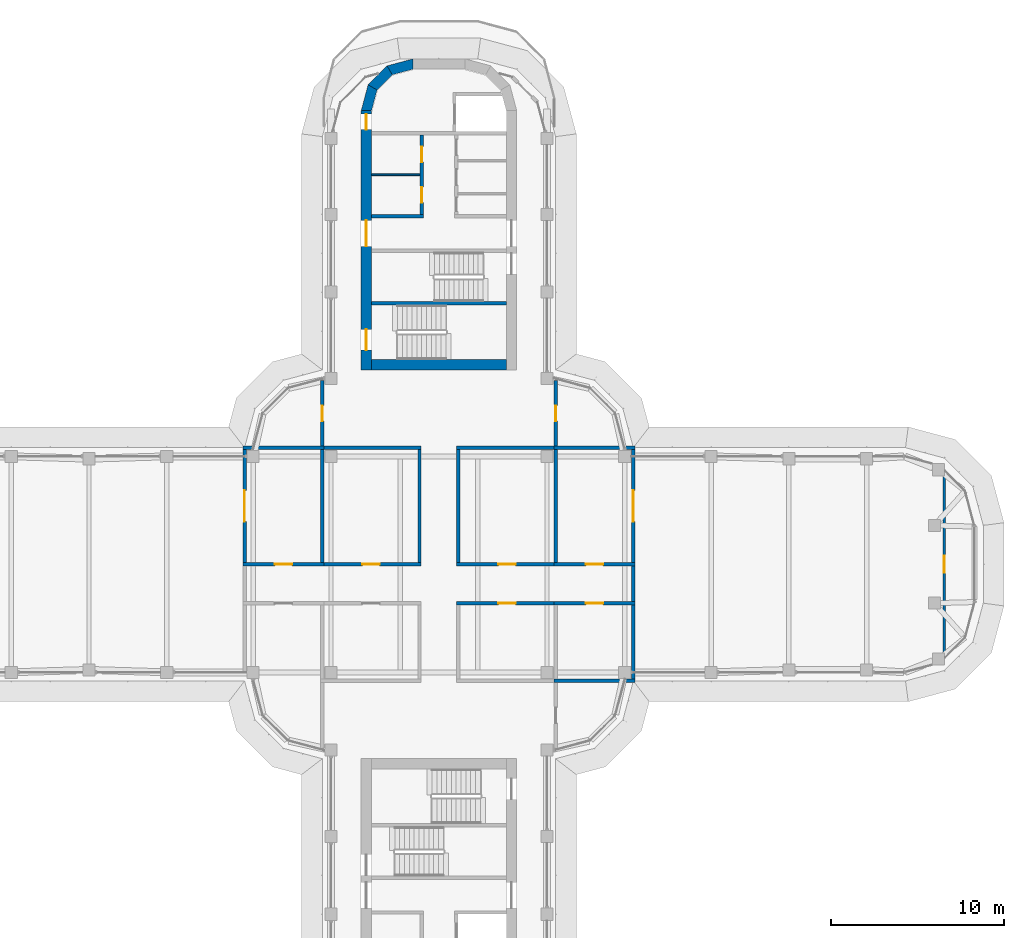
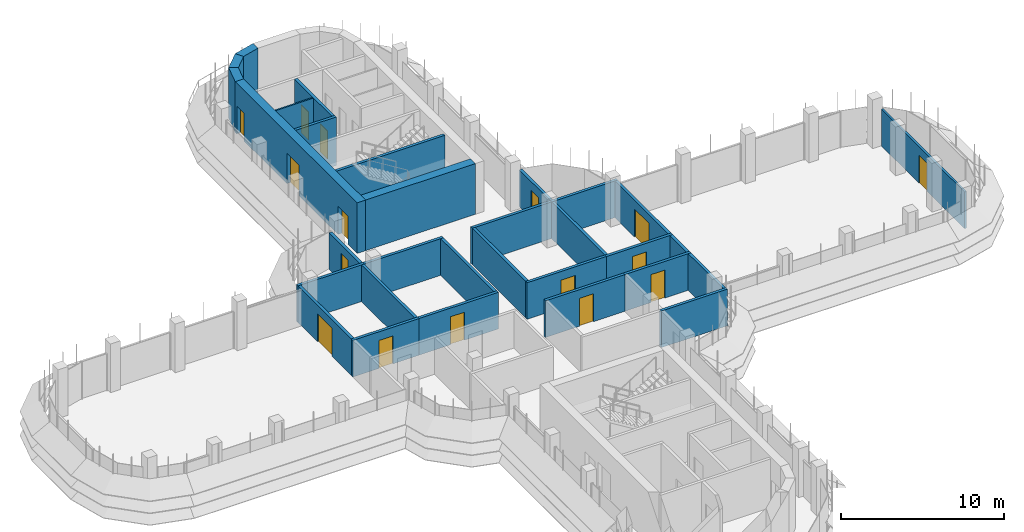
# One storey, part 14 of 19: 31 walls, 16 doors, 16 openings.
"""IFC4 building model written with IfcOpenShell, lengths in metres."""

import ifcopenshell
import ifcopenshell.guid

model = None  # the IFC model being written
_history = None  # IfcOwnerHistory: only IFC2X3 demands one
_inside = {}  # id of a spatial element -> (the spatial element, [elements in it])
_under = {}  # id of a project, library or spatial element -> (it, [spatial elements below it])
_declared = {}  # id of a project -> (the project, [libraries it declares])
_typed = {}  # id of a type object -> (the type object, [elements of that type])
_made_of = {}  # id of a material, layer set ... -> (it, [elements and type objects made of it])


def new_model(schema):
    """Start an empty IFC model of exactly this schema.

    Asked for "IFC4X3", IfcOpenShell would pick the latest addendum, in which some entities
    have other attributes; the version numbers below select the first issue.
    IFC2X3 requires an IfcOwnerHistory on every rooted entity: one is made here for all.
    """
    global model, _history
    if schema == "IFC4X3":
        model = ifcopenshell.file(schema_version=(4, 3, 0, 0))
    else:
        model = ifcopenshell.file(schema=schema)
    _inside.clear()
    _under.clear()
    _declared.clear()
    _typed.clear()
    _made_of.clear()
    _history = None
    if model.schema == "IFC2X3":
        org = make("IfcOrganization", Name="unknown")
        user = make(
            "IfcPersonAndOrganization",
            ThePerson=make("IfcPerson", FamilyName="unknown"),
            TheOrganization=org,
        )
        app = make(
            "IfcApplication",
            ApplicationDeveloper=org,
            Version="unknown",
            ApplicationFullName="unknown",
            ApplicationIdentifier="unknown",
        )
        _history = make(
            "IfcOwnerHistory",
            OwningUser=user,
            OwningApplication=app,
            ChangeAction="ADDED",
            CreationDate=0,
        )
    return model


def make(cls, **values):
    """One entity of the class cls with the attributes given. An attribute that is None is left unset."""
    return model.create_entity(
        cls, **{name: value for name, value in values.items() if value is not None}
    )


def rooted(cls, **values):
    """An entity with a GlobalId (a new one), such as an element, a storey or a relation."""
    return make(cls, GlobalId=ifcopenshell.guid.new(), OwnerHistory=_history, **values)


def si_unit(unit_type, name, prefix=None):
    """IfcSIUnit, for example si_unit("LENGTHUNIT", "METRE", prefix="MILLI")."""
    return make("IfcSIUnit", UnitType=unit_type, Prefix=prefix, Name=name)


def assignment(units):
    """IfcUnitAssignment: the units of a project."""
    return None if units is None else make("IfcUnitAssignment", Units=units)


def point(xyz):
    """IfcCartesianPoint."""
    return None if xyz is None else make("IfcCartesianPoint", Coordinates=xyz)


def direction(xyz):
    """IfcDirection."""
    return None if xyz is None else make("IfcDirection", DirectionRatios=xyz)


def frame(location, z_axis=None, x_axis=None):
    """IfcAxis2Placement3D, a coordinate frame: its origin and axes. An axis left out is left unset."""
    return make(
        "IfcAxis2Placement3D",
        Location=point(location),
        Axis=direction(z_axis),
        RefDirection=direction(x_axis),
    )


def frame_2d(location, x_axis=None):
    """IfcAxis2Placement2D, a coordinate frame in the plane: its origin and x axis."""
    return make(
        "IfcAxis2Placement2D", Location=point(location), RefDirection=direction(x_axis)
    )


def origin():
    """The frame at (0, 0, 0) with its axes left unset."""
    return frame((0.0, 0.0, 0.0))


def place(relative_to, where):
    """IfcLocalPlacement: puts the frame where relative to a parent placement (None: the world)."""
    return make(
        "IfcLocalPlacement", PlacementRelTo=relative_to, RelativePlacement=where
    )


def context(
    kind, dimensions, precision=None, world=None, true_north=None, identifier=None
):
    """IfcGeometricRepresentationContext, for example the 3D "Model" context."""
    return make(
        "IfcGeometricRepresentationContext",
        ContextIdentifier=identifier,
        ContextType=kind,
        CoordinateSpaceDimension=dimensions,
        Precision=precision,
        WorldCoordinateSystem=world,
        TrueNorth=true_north,
    )


def subcontext(parent, identifier, kind, view, scale=None):
    """IfcGeometricRepresentationSubContext, for example "Body" below "Model"."""
    return make(
        "IfcGeometricRepresentationSubContext",
        ContextIdentifier=identifier,
        ContextType=kind,
        ParentContext=parent,
        TargetScale=scale,
        TargetView=view,
    )


def project(units=None, contexts=None):
    """IfcProject with its units and contexts."""
    return rooted(
        "IfcProject",
        Name="project",
        RepresentationContexts=contexts,
        UnitsInContext=assignment(units),
    )


def spatial(cls, under=None, at=None, **own):
    """A site, building, storey or space (cls), placed at a placement, below another one or the project."""
    s = rooted(cls, ObjectPlacement=at, **own)
    if under is not None:
        _under.setdefault(under.id(), (under, []))[1].append(s)
    return s


def polyline(points):
    """IfcPolyline through the points."""
    return make("IfcPolyline", Points=[point(p) for p in points])


def profile(cls, at=None, kind="AREA", **sizes):
    """A parametric profile (cls). Its sizes go by their IFC names, for example OverallWidth=200.0."""
    return make(cls, ProfileType=kind, Position=at, **sizes)


def rectangle(**sizes):
    """IfcRectangleProfileDef."""
    return profile("IfcRectangleProfileDef", **sizes)


def outline(outer, holes=None, kind="AREA"):
    """IfcArbitraryClosedProfileDef: a profile drawn as a closed curve; with holes, ...WithVoids."""
    if holes is None:
        return make("IfcArbitraryClosedProfileDef", ProfileType=kind, OuterCurve=outer)
    return make(
        "IfcArbitraryProfileDefWithVoids",
        ProfileType=kind,
        OuterCurve=outer,
        InnerCurves=holes,
    )


def extrude(swept, where, along, depth):
    """IfcExtrudedAreaSolid: the profile swept, set in the frame where, extruded along a direction by depth."""
    return make(
        "IfcExtrudedAreaSolid",
        SweptArea=swept,
        Position=where,
        ExtrudedDirection=direction(along),
        Depth=depth,
    )


def shape(context_of_items, identifier, shape_type, items):
    """IfcShapeRepresentation: the items that make up one representation, for example the "Body"."""
    return make(
        "IfcShapeRepresentation",
        ContextOfItems=context_of_items,
        RepresentationIdentifier=identifier,
        RepresentationType=shape_type,
        Items=items,
    )


def material(Name=None, Category=None):
    """IfcMaterial."""
    return make("IfcMaterial", Name=Name, Category=Category)


def layer(
    of_material, thickness, ventilated=None, Name=None, Category=None, Priority=None
):
    """IfcMaterialLayer: one layer of a wall or slab, of a material (None: an air gap)."""
    return make(
        "IfcMaterialLayer",
        Material=of_material,
        LayerThickness=thickness,
        IsVentilated=ventilated,
        Name=Name,
        Category=Category,
        Priority=Priority,
    )


def layer_set(layers, Name=None):
    """IfcMaterialLayerSet."""
    return make("IfcMaterialLayerSet", MaterialLayers=layers, LayerSetName=Name)


def made_of(thing, what):
    """Note that an element or type object is made of a material, layer set ...; save() writes the relation."""
    if what is not None:
        _made_of.setdefault(what.id(), (what, []))[1].append(thing)
    return thing


def type_object(cls, material=None, **own):
    """A type object (cls), such as IfcWallType, which elements share."""
    return made_of(rooted(cls, **own), material)


def element(
    cls,
    number,
    at=None,
    inside=None,
    cuts=None,
    type_object=None,
    material=None,
    context=None,
    identifier="Body",
    shape_type=None,
    held_by="IfcProductDefinitionShape",
    body=None,
    shapes=None,
    **own,
):
    """One element of the class cls, such as IfcWall. Its Tag is "e" and its number.

    at: its placement. inside: the storey or other place that contains it. cuts: it is an
    opening in that element (IfcRelVoidsElement). A single representation is given by context,
    identifier, shape_type and body (its items); several are given by shapes. held_by: the class
    of the entity that holds the representations. save() writes the other relations.
    """
    e = rooted(cls, Tag="e%d" % number, ObjectPlacement=at, **own)
    if body is not None:
        shapes = [shape(context, identifier, shape_type, body)]
    if shapes is not None:
        e.Representation = make(held_by, Representations=shapes)
    if inside is not None:
        _inside.setdefault(inside.id(), (inside, []))[1].append(e)
    if cuts is not None:
        rooted(
            "IfcRelVoidsElement", RelatingBuildingElement=cuts, RelatedOpeningElement=e
        )
    if type_object is not None:
        _typed.setdefault(type_object.id(), (type_object, []))[1].append(e)
    return made_of(e, material)


def fill(opening, filler):
    """IfcRelFillsElement: the door or window that sits in an opening."""
    return rooted(
        "IfcRelFillsElement",
        RelatingOpeningElement=opening,
        RelatedBuildingElement=filler,
    )


def aggregate(whole, parts):
    """IfcRelAggregates: a whole, such as a stair, and the parts it consists of."""
    return rooted("IfcRelAggregates", RelatingObject=whole, RelatedObjects=parts)


def save(model, path):
    """Write the relations noted so far, then the file.

    IfcRelAggregates (storeys below a building ...), IfcRelContainedInSpatialStructure (elements
    in a storey), IfcRelDefinesByType, IfcRelAssociatesMaterial and IfcRelDeclares: one each for
    every whole, place, type object, material and project.
    """
    for whole, parts in _under.values():
        aggregate(whole, parts)
    for where, things in _inside.values():
        rooted(
            "IfcRelContainedInSpatialStructure",
            RelatedElements=things,
            RelatingStructure=where,
        )
    for kind, things in _typed.values():
        rooted("IfcRelDefinesByType", RelatedObjects=things, RelatingType=kind)
    for what, things in _made_of.values():
        rooted("IfcRelAssociatesMaterial", RelatedObjects=things, RelatingMaterial=what)
    for by, libraries in _declared.values():
        rooted("IfcRelDeclares", RelatingContext=by, RelatedDefinitions=libraries)
    model.write(path)


model = new_model("IFC4")

# Units and contexts
model_context = context("Model", 3, precision=1e-05, world=origin(), true_north=direction((0.0, 1.0)))
body_context = subcontext(model_context, "Body", "Model", "MODEL_VIEW")
ifc_project = project(units=[si_unit("LENGTHUNIT", "METRE"), si_unit("AREAUNIT", "SQUARE_METRE"), si_unit("VOLUMEUNIT", "CUBIC_METRE"), si_unit("PLANEANGLEUNIT", "RADIAN"), si_unit("MASSUNIT", "GRAM", prefix="KILO")], contexts=[model_context])

# Site, building, storey
site_placement = place(None, origin())
site = spatial("IfcSite", under=ifc_project, at=site_placement, CompositionType="ELEMENT")
building_placement = place(site_placement, origin())
building = spatial("IfcBuilding", under=site, at=building_placement, Name="Zarbagh Exchange Tower", CompositionType="ELEMENT")
storey_placement = place(building_placement, frame((0.0, 0.0, 218.199951171875)))
storey = spatial("IfcBuildingStorey", under=building, at=storey_placement, Name="L53", CompositionType="ELEMENT", Elevation=218.199951171875)

# Wall
ifc_material_1 = material(Name="Dense blockwork", Category="masonry")
ifc_layer_1 = layer(ifc_material_1, 0.10009765625)
ifc_layer_set_1 = layer_set([ifc_layer_1], Name="Core partition 100 mm blockwork")
wall_type_1 = type_object("IfcWallType", Name="Core partition 100 mm blockwork", PredefinedType="PARTITIONING", material=ifc_layer_set_1)
wall_1_placement = place(storey_placement, frame((-3.89990234375, 22.550048828125, 0.0), z_axis=(0.0, 0.0, 1.0), x_axis=(1.0, 0.0, 0.0)))
element("IfcWall", 1, at=wall_1_placement, inside=storey, type_object=wall_type_1, Name="North core partition wall CUT-W-580", PredefinedType="PARTITIONING", context=body_context, shape_type="SweptSolid", body=[
    extrude(rectangle(XDim=2.7998046875, YDim=0.10009765625, at=frame_2d((1.39990234375, 0.0))), origin(), (0.0, 0.0, 1.0), 3.650146484375),
])

# Wall, opening, door
ifc_material_2 = material(Name="Plasterboard partition")
ifc_layer_2 = layer(ifc_material_2, 0.14990234375)
ifc_layer_set_2 = layer_set([ifc_layer_2], Name="PARTITION 150")
wall_type_2 = type_object("IfcWallType", Name="PARTITION 150", PredefinedType="PARTITIONING", material=ifc_layer_set_2)
wall_2_placement = place(storey_placement, frame((29.25, 5.125, 0.0), z_axis=(0.0, 0.0, 1.0), x_axis=(0.0, -1.0, 0.0)))
wall_2 = element("IfcWall", 2, at=wall_2_placement, inside=storey, type_object=wall_type_2, Name="Partition W-2334", PredefinedType="PARTITIONING", context=body_context, shape_type="SweptSolid", body=[
    extrude(rectangle(XDim=10.25, YDim=0.14990234375, at=frame_2d((5.125, 0.0))), origin(), (0.0, 0.0, 1.0), 2.75),
])
opening_1_placement = place(wall_2_placement, frame((4.625, 0.0, 0.0)))
opening_1 = element("IfcOpeningElement", 3, at=opening_1_placement, cuts=wall_2, Name="Opening D-2301", PredefinedType="OPENING", context=body_context, shape_type="SweptSolid", body=[
    extrude(rectangle(XDim=1.0, YDim=2.10009765625, at=frame_2d((0.5, 1.050048828125))), frame((0.0, 0.0849609375, 0.0), z_axis=(0.0, -1.0, 0.0), x_axis=(1.0, 0.0, 0.0)), (0.0, 0.0, 1.0), 0.169921875),
])
ifc_material_3 = material(Name="Timber door leaf", Category="wood")
door_type_1 = type_object("IfcDoorType", Name="DOOR 1000 X 2100", OperationType="NOTDEFINED", PredefinedType="DOOR", material=ifc_material_3)
door_1_placement = place(opening_1_placement, origin())
door_1 = element("IfcDoor", 4, at=door_1_placement, inside=storey, type_object=door_type_1, Name="Door D-2301", OperationType="SINGLE_SWING_RIGHT", OverallHeight=2.10009765625, OverallWidth=1.0, PredefinedType="DOOR", context=body_context, shape_type="SweptSolid", body=[
    extrude(rectangle(XDim=1.0, YDim=2.10009765625, at=frame_2d((0.5, 1.050048828125))), frame((0.0, 0.02490234375, 0.0), z_axis=(0.0, -1.0, 0.0), x_axis=(1.0, 0.0, 0.0)), (0.0, 0.0, 1.0), 0.050048828125),
])
fill(opening_1, door_1)

ifc_material_4 = material(Name="Fire-rated plasterboard partition")
ifc_layer_3 = layer(ifc_material_4, 0.199951171875)
ifc_layer_set_3 = layer_set([ifc_layer_3], Name="RATED PARTITION 200")
wall_type_3 = type_object("IfcWallType", Name="RATED PARTITION 200", PredefinedType="PARTITIONING", material=ifc_layer_set_3)
wall_3_placement = place(storey_placement, frame((1.02490234375, 0.0, 0.0), z_axis=(0.0, 0.0, 1.0), x_axis=(1.0, 0.0, 0.0)))
wall_3 = element("IfcWall", 5, at=wall_3_placement, inside=storey, type_object=wall_type_3, Name="Partition W-2301", PredefinedType="PARTITIONING", context=body_context, shape_type="SweptSolid", body=[
    extrude(rectangle(XDim=5.8251953125, YDim=0.199951171875, at=frame_2d((2.91259765625, 0.0))), origin(), (0.0, 0.0, 1.0), 2.75),
])
opening_2_placement = place(wall_3_placement, frame((2.41259765625, 0.0, 0.0)))
opening_2 = element("IfcOpeningElement", 6, at=opening_2_placement, cuts=wall_3, Name="Opening D-2303", PredefinedType="OPENING", context=body_context, shape_type="SweptSolid", body=[
    extrude(rectangle(XDim=1.0, YDim=2.10009765625, at=frame_2d((0.5, 1.050048828125))), frame((0.0, 0.10986328125, 0.0), z_axis=(0.0, -1.0, 0.0), x_axis=(1.0, 0.0, 0.0)), (0.0, 0.0, 1.0), 0.219970703125),
])
ifc_material_5 = material(Name="Steel door set", Category="steel")
door_type_2 = type_object("IfcDoorType", Name="FIRE DOOR 1000 X 2100 FD30S", OperationType="NOTDEFINED", PredefinedType="DOOR", material=ifc_material_5)
door_2_placement = place(opening_2_placement, origin())
door_2 = element("IfcDoor", 7, at=door_2_placement, inside=storey, type_object=door_type_2, Name="Door D-2303", OperationType="SINGLE_SWING_RIGHT", OverallHeight=2.10009765625, OverallWidth=1.0, PredefinedType="DOOR", context=body_context, shape_type="SweptSolid", body=[
    extrude(rectangle(XDim=1.0, YDim=2.10009765625, at=frame_2d((0.5, 1.050048828125))), frame((0.0, 0.02490234375, 0.0), z_axis=(0.0, -1.0, 0.0), x_axis=(1.0, 0.0, 0.0)), (0.0, 0.0, 1.0), 0.050048828125),
])
fill(opening_2, door_2)

wall_4_placement = place(storey_placement, frame((6.64990234375, 0.0, 0.0), z_axis=(0.0, 0.0, 1.0), x_axis=(1.0, 0.0, 0.0)))
wall_4 = element("IfcWall", 8, at=wall_4_placement, inside=storey, type_object=wall_type_3, Name="Partition W-2302", PredefinedType="PARTITIONING", context=body_context, shape_type="SweptSolid", body=[
    extrude(rectangle(XDim=4.7001953125, YDim=0.199951171875, at=frame_2d((2.35009765625, 0.0))), origin(), (0.0, 0.0, 1.0), 2.75),
])
opening_3_placement = place(wall_4_placement, frame((1.85009765625, 0.0, 0.0)))
opening_3 = element("IfcOpeningElement", 9, at=opening_3_placement, cuts=wall_4, Name="Opening D-2304", PredefinedType="OPENING", context=body_context, shape_type="SweptSolid", body=[
    extrude(rectangle(XDim=1.0, YDim=2.10009765625, at=frame_2d((0.5, 1.050048828125))), frame((0.0, 0.10986328125, 0.0), z_axis=(0.0, -1.0, 0.0), x_axis=(1.0, 0.0, 0.0)), (0.0, 0.0, 1.0), 0.219970703125),
])
door_3_placement = place(opening_3_placement, origin())
door_3 = element("IfcDoor", 10, at=door_3_placement, inside=storey, type_object=door_type_2, Name="Door D-2304", OperationType="SINGLE_SWING_RIGHT", OverallHeight=2.10009765625, OverallWidth=1.0, PredefinedType="DOOR", context=body_context, shape_type="SweptSolid", body=[
    extrude(rectangle(XDim=1.0, YDim=2.10009765625, at=frame_2d((0.5, 1.050048828125))), frame((0.0, 0.02490234375, 0.0), z_axis=(0.0, -1.0, 0.0), x_axis=(1.0, 0.0, 0.0)), (0.0, 0.0, 1.0), 0.050048828125),
])
fill(opening_3, door_3)

wall_5_placement = place(storey_placement, frame((-6.85009765625, 0.0, 0.0), z_axis=(0.0, 0.0, 1.0), x_axis=(1.0, 0.0, 0.0)))
wall_5 = element("IfcWall", 11, at=wall_5_placement, inside=storey, type_object=wall_type_3, Name="Partition W-2303", PredefinedType="PARTITIONING", context=body_context, shape_type="SweptSolid", body=[
    extrude(rectangle(XDim=5.8251953125, YDim=0.199951171875, at=frame_2d((2.91259765625, 0.0))), origin(), (0.0, 0.0, 1.0), 2.75),
])
opening_4_placement = place(wall_5_placement, frame((2.41259765625, 0.0, 0.0)))
opening_4 = element("IfcOpeningElement", 12, at=opening_4_placement, cuts=wall_5, Name="Opening D-2306", PredefinedType="OPENING", context=body_context, shape_type="SweptSolid", body=[
    extrude(rectangle(XDim=1.0, YDim=2.10009765625, at=frame_2d((0.5, 1.050048828125))), frame((0.0, 0.10986328125, 0.0), z_axis=(0.0, -1.0, 0.0), x_axis=(1.0, 0.0, 0.0)), (0.0, 0.0, 1.0), 0.219970703125),
])
door_4_placement = place(opening_4_placement, origin())
door_4 = element("IfcDoor", 13, at=door_4_placement, inside=storey, type_object=door_type_2, Name="Door D-2306", OperationType="SINGLE_SWING_RIGHT", OverallHeight=2.10009765625, OverallWidth=1.0, PredefinedType="DOOR", context=body_context, shape_type="SweptSolid", body=[
    extrude(rectangle(XDim=1.0, YDim=2.10009765625, at=frame_2d((0.5, 1.050048828125))), frame((0.0, 0.02490234375, 0.0), z_axis=(0.0, -1.0, 0.0), x_axis=(1.0, 0.0, 0.0)), (0.0, 0.0, 1.0), 0.050048828125),
])
fill(opening_4, door_4)

wall_6_placement = place(storey_placement, frame((-11.35009765625, 0.0, 0.0), z_axis=(0.0, 0.0, 1.0), x_axis=(1.0, 0.0, 0.0)))
wall_6 = element("IfcWall", 14, at=wall_6_placement, inside=storey, type_object=wall_type_3, Name="Partition W-2304", PredefinedType="PARTITIONING", context=body_context, shape_type="SweptSolid", body=[
    extrude(rectangle(XDim=4.7001953125, YDim=0.199951171875, at=frame_2d((2.35009765625, 0.0))), origin(), (0.0, 0.0, 1.0), 2.75),
])
opening_5_placement = place(wall_6_placement, frame((1.85009765625, 0.0, 0.0)))
opening_5 = element("IfcOpeningElement", 15, at=opening_5_placement, cuts=wall_6, Name="Opening D-2307", PredefinedType="OPENING", context=body_context, shape_type="SweptSolid", body=[
    extrude(rectangle(XDim=1.0, YDim=2.10009765625, at=frame_2d((0.5, 1.050048828125))), frame((0.0, 0.10986328125, 0.0), z_axis=(0.0, -1.0, 0.0), x_axis=(1.0, 0.0, 0.0)), (0.0, 0.0, 1.0), 0.219970703125),
])
door_5_placement = place(opening_5_placement, origin())
door_5 = element("IfcDoor", 16, at=door_5_placement, inside=storey, type_object=door_type_2, Name="Door D-2307", OperationType="SINGLE_SWING_RIGHT", OverallHeight=2.10009765625, OverallWidth=1.0, PredefinedType="DOOR", context=body_context, shape_type="SweptSolid", body=[
    extrude(rectangle(XDim=1.0, YDim=2.10009765625, at=frame_2d((0.5, 1.050048828125))), frame((0.0, 0.02490234375, 0.0), z_axis=(0.0, -1.0, 0.0), x_axis=(1.0, 0.0, 0.0)), (0.0, 0.0, 1.0), 0.050048828125),
])
fill(opening_5, door_5)

wall_7_placement = place(storey_placement, frame((6.85009765625, -2.25, 0.0), z_axis=(0.0, 0.0, 1.0), x_axis=(-1.0, 0.0, 0.0)))
wall_7 = element("IfcWall", 17, at=wall_7_placement, inside=storey, type_object=wall_type_3, Name="Partition W-2305", PredefinedType="PARTITIONING", context=body_context, shape_type="SweptSolid", body=[
    extrude(rectangle(XDim=5.8251953125, YDim=0.199951171875, at=frame_2d((2.91259765625, 0.0))), origin(), (0.0, 0.0, 1.0), 2.75),
])
opening_6_placement = place(wall_7_placement, frame((2.41259765625, 0.0, 0.0)))
opening_6 = element("IfcOpeningElement", 18, at=opening_6_placement, cuts=wall_7, Name="Opening D-2309", PredefinedType="OPENING", context=body_context, shape_type="SweptSolid", body=[
    extrude(rectangle(XDim=1.0, YDim=2.10009765625, at=frame_2d((0.5, 1.050048828125))), frame((0.0, 0.10986328125, 0.0), z_axis=(0.0, -1.0, 0.0), x_axis=(1.0, 0.0, 0.0)), (0.0, 0.0, 1.0), 0.219970703125),
])
door_6_placement = place(opening_6_placement, origin())
door_6 = element("IfcDoor", 19, at=door_6_placement, inside=storey, type_object=door_type_2, Name="Door D-2309", OperationType="SINGLE_SWING_RIGHT", OverallHeight=2.10009765625, OverallWidth=1.0, PredefinedType="DOOR", context=body_context, shape_type="SweptSolid", body=[
    extrude(rectangle(XDim=1.0, YDim=2.10009765625, at=frame_2d((0.5, 1.050048828125))), frame((0.0, 0.02490234375, 0.0), z_axis=(0.0, -1.0, 0.0), x_axis=(1.0, 0.0, 0.0)), (0.0, 0.0, 1.0), 0.050048828125),
])
fill(opening_6, door_6)

wall_8_placement = place(storey_placement, frame((11.35009765625, -2.25, 0.0), z_axis=(0.0, 0.0, 1.0), x_axis=(-1.0, 0.0, 0.0)))
wall_8 = element("IfcWall", 20, at=wall_8_placement, inside=storey, type_object=wall_type_3, Name="Partition W-2306", PredefinedType="PARTITIONING", context=body_context, shape_type="SweptSolid", body=[
    extrude(rectangle(XDim=4.7001953125, YDim=0.199951171875, at=frame_2d((2.35009765625, 0.0))), origin(), (0.0, 0.0, 1.0), 2.75),
])
opening_7_placement = place(wall_8_placement, frame((1.85009765625, 0.0, 0.0)))
opening_7 = element("IfcOpeningElement", 21, at=opening_7_placement, cuts=wall_8, Name="Opening D-2310", PredefinedType="OPENING", context=body_context, shape_type="SweptSolid", body=[
    extrude(rectangle(XDim=1.0, YDim=2.10009765625, at=frame_2d((0.5, 1.050048828125))), frame((0.0, 0.10986328125, 0.0), z_axis=(0.0, -1.0, 0.0), x_axis=(1.0, 0.0, 0.0)), (0.0, 0.0, 1.0), 0.219970703125),
])
door_7_placement = place(opening_7_placement, origin())
door_7 = element("IfcDoor", 22, at=door_7_placement, inside=storey, type_object=door_type_2, Name="Door D-2310", OperationType="SINGLE_SWING_RIGHT", OverallHeight=2.10009765625, OverallWidth=1.0, PredefinedType="DOOR", context=body_context, shape_type="SweptSolid", body=[
    extrude(rectangle(XDim=1.0, YDim=2.10009765625, at=frame_2d((0.5, 1.050048828125))), frame((0.0, 0.02490234375, 0.0), z_axis=(0.0, -1.0, 0.0), x_axis=(1.0, 0.0, 0.0)), (0.0, 0.0, 1.0), 0.050048828125),
])
fill(opening_7, door_7)

# Walls
wall_9_placement = place(storey_placement, frame((11.25, -2.14990234375, 0.0), z_axis=(0.0, 0.0, 1.0), x_axis=(0.0, 1.0, 0.0)))
element("IfcWall", 23, at=wall_9_placement, inside=storey, type_object=wall_type_3, Name="Partition W-2309", PredefinedType="PARTITIONING", context=body_context, shape_type="SweptSolid", body=[
    extrude(rectangle(XDim=2.0498046875, YDim=0.199951171875, at=frame_2d((1.02490234375, 0.0))), origin(), (0.0, 0.0, 1.0), 2.75),
])
for number, where, z_axis, x_axis, name in (
    (24, (1.125, 0.10009765625, 0.0), (0.0, 0.0, 1.0), (0.0, 1.0, 0.0), "Partition W-2311"),
    (25, (-1.125, 0.10009765625, 0.0), (0.0, 0.0, 1.0), (0.0, 1.0, 0.0), "Partition W-2312"),
):
    element("IfcWall", number, at=place(storey_placement, frame(where, z_axis=z_axis, x_axis=x_axis)), inside=storey, type_object=wall_type_3, Name=name, PredefinedType="PARTITIONING", context=body_context, shape_type="SweptSolid", body=[
        extrude(rectangle(XDim=6.5498046875, YDim=0.199951171875, at=frame_2d((3.27490234375, 0.0))), origin(), (0.0, 0.0, 1.0), 2.75),
    ])
wall_10_placement = place(storey_placement, frame((1.02490234375, 6.75, 0.0), z_axis=(0.0, 0.0, 1.0), x_axis=(1.0, 0.0, 0.0)))
element("IfcWall", 26, at=wall_10_placement, inside=storey, type_object=wall_type_3, Name="Partition W-2315", PredefinedType="PARTITIONING", context=body_context, shape_type="SweptSolid", body=[
    extrude(rectangle(XDim=5.8251953125, YDim=0.199951171875, at=frame_2d((2.91259765625, 0.0))), origin(), (0.0, 0.0, 1.0), 2.75),
])

# Wall, opening, door
wall_11_placement = place(storey_placement, frame((6.75, 10.6298828125, 0.0), z_axis=(0.0, 0.0, 1.0), x_axis=(0.0, -1.0, 0.0)))
wall_11 = element("IfcWall", 27, at=wall_11_placement, inside=storey, type_object=wall_type_3, Name="Partition W-2316", PredefinedType="PARTITIONING", context=body_context, shape_type="SweptSolid", body=[
    extrude(rectangle(XDim=3.77978515625, YDim=0.199951171875, at=frame_2d((1.889892578125, 0.0))), origin(), (0.0, 0.0, 1.0), 2.75),
])
opening_8_placement = place(wall_11_placement, frame((1.43994140625, 0.0, 0.0)))
opening_8 = element("IfcOpeningElement", 28, at=opening_8_placement, cuts=wall_11, Name="Opening D-2305", PredefinedType="OPENING", context=body_context, shape_type="SweptSolid", body=[
    extrude(rectangle(XDim=0.89990234375, YDim=2.10009765625, at=frame_2d((0.449951171875, 1.050048828125))), frame((0.0, 0.10986328125, 0.0), z_axis=(0.0, -1.0, 0.0), x_axis=(1.0, 0.0, 0.0)), (0.0, 0.0, 1.0), 0.219970703125),
])
door_type_3 = type_object("IfcDoorType", Name="DOOR 900 X 2100", OperationType="NOTDEFINED", PredefinedType="DOOR", material=ifc_material_3)
door_8_placement = place(opening_8_placement, origin())
door_8 = element("IfcDoor", 29, at=door_8_placement, inside=storey, type_object=door_type_3, Name="Door D-2305", OperationType="SINGLE_SWING_RIGHT", OverallHeight=2.10009765625, OverallWidth=0.89990234375, PredefinedType="DOOR", context=body_context, shape_type="SweptSolid", body=[
    extrude(rectangle(XDim=0.89990234375, YDim=2.10009765625, at=frame_2d((0.449951171875, 1.050048828125))), frame((0.0, 0.02490234375, 0.0), z_axis=(0.0, -1.0, 0.0), x_axis=(1.0, 0.0, 0.0)), (0.0, 0.0, 1.0), 0.050048828125),
])
fill(opening_8, door_8)

# Wall
wall_12_placement = place(storey_placement, frame((-6.85009765625, 6.75, 0.0), z_axis=(0.0, 0.0, 1.0), x_axis=(1.0, 0.0, 0.0)))
element("IfcWall", 30, at=wall_12_placement, inside=storey, type_object=wall_type_3, Name="Partition W-2317", PredefinedType="PARTITIONING", context=body_context, shape_type="SweptSolid", body=[
    extrude(rectangle(XDim=5.8251953125, YDim=0.199951171875, at=frame_2d((2.91259765625, 0.0))), origin(), (0.0, 0.0, 1.0), 2.75),
])

# Wall, opening, door
wall_13_placement = place(storey_placement, frame((-6.75, 6.85009765625, 0.0), z_axis=(0.0, 0.0, 1.0), x_axis=(0.0, 1.0, 0.0)))
wall_13 = element("IfcWall", 31, at=wall_13_placement, inside=storey, type_object=wall_type_3, Name="Partition W-2318", PredefinedType="PARTITIONING", context=body_context, shape_type="SweptSolid", body=[
    extrude(rectangle(XDim=3.77978515625, YDim=0.199951171875, at=frame_2d((1.889892578125, 0.0))), origin(), (0.0, 0.0, 1.0), 2.75),
])
opening_9_placement = place(wall_13_placement, frame((1.43994140625, 0.0, 0.0)))
opening_9 = element("IfcOpeningElement", 32, at=opening_9_placement, cuts=wall_13, Name="Opening D-2308", PredefinedType="OPENING", context=body_context, shape_type="SweptSolid", body=[
    extrude(rectangle(XDim=0.89990234375, YDim=2.10009765625, at=frame_2d((0.449951171875, 1.050048828125))), frame((0.0, 0.10986328125, 0.0), z_axis=(0.0, -1.0, 0.0), x_axis=(1.0, 0.0, 0.0)), (0.0, 0.0, 1.0), 0.219970703125),
])
door_9_placement = place(opening_9_placement, origin())
door_9 = element("IfcDoor", 33, at=door_9_placement, inside=storey, type_object=door_type_3, Name="Door D-2308", OperationType="SINGLE_SWING_LEFT", OverallHeight=2.10009765625, OverallWidth=0.89990234375, PredefinedType="DOOR", context=body_context, shape_type="SweptSolid", body=[
    extrude(rectangle(XDim=0.89990234375, YDim=2.10009765625, at=frame_2d((0.449951171875, 1.050048828125))), frame((0.0, 0.02490234375, 0.0), z_axis=(0.0, -1.0, 0.0), x_axis=(1.0, 0.0, 0.0)), (0.0, 0.0, 1.0), 0.050048828125),
])
fill(opening_9, door_9)

# Walls
wall_14_placement = place(storey_placement, frame((6.75, 0.10009765625, 0.0), z_axis=(0.0, 0.0, 1.0), x_axis=(0.0, 1.0, 0.0)))
element("IfcWall", 34, at=wall_14_placement, inside=storey, type_object=wall_type_3, Name="Partition W-2323", PredefinedType="PARTITIONING", context=body_context, shape_type="SweptSolid", body=[
    extrude(rectangle(XDim=6.5498046875, YDim=0.199951171875, at=frame_2d((3.27490234375, 0.0))), origin(), (0.0, 0.0, 1.0), 2.75),
])
wall_15_placement = place(storey_placement, frame((6.64990234375, 6.75, 0.0), z_axis=(0.0, 0.0, 1.0), x_axis=(1.0, 0.0, 0.0)))
element("IfcWall", 35, at=wall_15_placement, inside=storey, type_object=wall_type_3, Name="Partition W-2324", PredefinedType="PARTITIONING", context=body_context, shape_type="SweptSolid", body=[
    extrude(rectangle(XDim=4.7001953125, YDim=0.199951171875, at=frame_2d((2.35009765625, 0.0))), origin(), (0.0, 0.0, 1.0), 2.75),
])

# Wall, opening, door
wall_16_placement = place(storey_placement, frame((11.25, 6.64990234375, 0.0), z_axis=(0.0, 0.0, 1.0), x_axis=(0.0, -1.0, 0.0)))
wall_16 = element("IfcWall", 36, at=wall_16_placement, inside=storey, type_object=wall_type_3, Name="Partition W-2325", PredefinedType="PARTITIONING", context=body_context, shape_type="SweptSolid", body=[
    extrude(rectangle(XDim=6.5498046875, YDim=0.199951171875, at=frame_2d((3.27490234375, 0.0))), origin(), (0.0, 0.0, 1.0), 2.75),
])
opening_10_placement = place(wall_16_placement, frame((2.375, 0.0, 0.0)))
opening_10 = element("IfcOpeningElement", 37, at=opening_10_placement, cuts=wall_16, Name="Opening D-2302", PredefinedType="OPENING", context=body_context, shape_type="SweptSolid", body=[
    extrude(rectangle(XDim=1.800048828125, YDim=2.10009765625, at=frame_2d((0.89990234375, 1.050048828125))), frame((0.0, 0.10986328125, 0.0), z_axis=(0.0, -1.0, 0.0), x_axis=(1.0, 0.0, 0.0)), (0.0, 0.0, 1.0), 0.219970703125),
])
door_type_4 = type_object("IfcDoorType", Name="FIRE DOUBLE DOOR 1800 X 2100 FD30S", OperationType="DOUBLE_DOOR_SINGLE_SWING", PredefinedType="DOOR", material=ifc_material_5)
door_10_placement = place(opening_10_placement, origin())
door_10 = element("IfcDoor", 38, at=door_10_placement, inside=storey, type_object=door_type_4, Name="Door D-2302", OperationType="DOUBLE_DOOR_SINGLE_SWING", OverallHeight=2.10009765625, OverallWidth=1.800048828125, PredefinedType="DOOR", context=body_context, shape_type="SweptSolid", body=[
    extrude(rectangle(XDim=1.800048828125, YDim=2.10009765625, at=frame_2d((0.89990234375, 1.050048828125))), frame((0.0, 0.02490234375, 0.0), z_axis=(0.0, -1.0, 0.0), x_axis=(1.0, 0.0, 0.0)), (0.0, 0.0, 1.0), 0.050048828125),
])
fill(opening_10, door_10)

# Walls
wall_17_placement = place(storey_placement, frame((-6.75, 0.10009765625, 0.0), z_axis=(0.0, 0.0, 1.0), x_axis=(0.0, 1.0, 0.0)))
element("IfcWall", 39, at=wall_17_placement, inside=storey, type_object=wall_type_3, Name="Partition W-2326", PredefinedType="PARTITIONING", context=body_context, shape_type="SweptSolid", body=[
    extrude(rectangle(XDim=6.5498046875, YDim=0.199951171875, at=frame_2d((3.27490234375, 0.0))), origin(), (0.0, 0.0, 1.0), 2.75),
])
wall_18_placement = place(storey_placement, frame((-11.35009765625, 6.75, 0.0), z_axis=(0.0, 0.0, 1.0), x_axis=(1.0, 0.0, 0.0)))
element("IfcWall", 40, at=wall_18_placement, inside=storey, type_object=wall_type_3, Name="Partition W-2327", PredefinedType="PARTITIONING", context=body_context, shape_type="SweptSolid", body=[
    extrude(rectangle(XDim=4.7001953125, YDim=0.199951171875, at=frame_2d((2.35009765625, 0.0))), origin(), (0.0, 0.0, 1.0), 2.75),
])

# Wall, opening, door
wall_19_placement = place(storey_placement, frame((-11.25, 0.10009765625, 0.0), z_axis=(0.0, 0.0, 1.0), x_axis=(0.0, 1.0, 0.0)))
wall_19 = element("IfcWall", 41, at=wall_19_placement, inside=storey, type_object=wall_type_3, Name="Partition W-2328", PredefinedType="PARTITIONING", context=body_context, shape_type="SweptSolid", body=[
    extrude(rectangle(XDim=6.5498046875, YDim=0.199951171875, at=frame_2d((3.27490234375, 0.0))), origin(), (0.0, 0.0, 1.0), 2.75),
])
opening_11_placement = place(wall_19_placement, frame((2.375, 0.0, 0.0)))
opening_11 = element("IfcOpeningElement", 42, at=opening_11_placement, cuts=wall_19, Name="Opening D-2314", PredefinedType="OPENING", context=body_context, shape_type="SweptSolid", body=[
    extrude(rectangle(XDim=1.800048828125, YDim=2.10009765625, at=frame_2d((0.89990234375, 1.050048828125))), frame((0.0, 0.10986328125, 0.0), z_axis=(0.0, -1.0, 0.0), x_axis=(1.0, 0.0, 0.0)), (0.0, 0.0, 1.0), 0.219970703125),
])
door_11_placement = place(opening_11_placement, origin())
door_11 = element("IfcDoor", 43, at=door_11_placement, inside=storey, type_object=door_type_4, Name="Door D-2314", OperationType="DOUBLE_DOOR_SINGLE_SWING", OverallHeight=2.10009765625, OverallWidth=1.800048828125, PredefinedType="DOOR", context=body_context, shape_type="SweptSolid", body=[
    extrude(rectangle(XDim=1.800048828125, YDim=2.10009765625, at=frame_2d((0.89990234375, 1.050048828125))), frame((0.0, 0.02490234375, 0.0), z_axis=(0.0, -1.0, 0.0), x_axis=(1.0, 0.0, 0.0)), (0.0, 0.0, 1.0), 0.050048828125),
])
fill(opening_11, door_11)

# Walls
wall_20_placement = place(storey_placement, frame((6.64990234375, -6.75, 0.0), z_axis=(0.0, 0.0, 1.0), x_axis=(1.0, 0.0, 0.0)))
element("IfcWall", 44, at=wall_20_placement, inside=storey, type_object=wall_type_3, Name="Partition W-2330", PredefinedType="PARTITIONING", context=body_context, shape_type="SweptSolid", body=[
    extrude(rectangle(XDim=4.7001953125, YDim=0.199951171875, at=frame_2d((2.35009765625, 0.0))), origin(), (0.0, 0.0, 1.0), 2.75),
])
wall_21_placement = place(storey_placement, frame((11.25, -6.64990234375, 0.0), z_axis=(0.0, 0.0, 1.0), x_axis=(0.0, 1.0, 0.0)))
element("IfcWall", 45, at=wall_21_placement, inside=storey, type_object=wall_type_3, Name="Partition W-2331", PredefinedType="PARTITIONING", context=body_context, shape_type="SweptSolid", body=[
    extrude(rectangle(XDim=4.2998046875, YDim=0.199951171875, at=frame_2d((2.14990234375, 0.0))), origin(), (0.0, 0.0, 1.0), 2.75),
])
ifc_material_6 = material(Name="Concrete C50/60", Category="concrete")
ifc_layer_4 = layer(ifc_material_6, 0.60009765625)
ifc_layer_set_4 = layer_set([ifc_layer_4], Name="RC core corner wall 600 C50/60")
wall_type_4 = type_object("IfcWallType", Name="RC core corner wall 600 C50/60", PredefinedType="SHEAR", material=ifc_layer_set_4)
wall_22_placement = place(storey_placement, origin())
element("IfcWall", 46, at=wall_22_placement, inside=storey, type_object=wall_type_4, Name="CW8 core N corner W", PredefinedType="SHEAR", context=body_context, shape_type="SweptSolid", body=[
    extrude(outline(polyline([(-4.5, 26.25), (-4.09814453125, 27.75), (-3.57861328125, 27.449951171875), (-3.89990234375, 26.25), (-4.5, 26.25)])), origin(), (0.0, 0.0, 1.0), 3.800048828125),
])
wall_23_placement = place(storey_placement, origin())
element("IfcWall", 47, at=wall_23_placement, inside=storey, type_object=wall_type_4, Name="CW8 core N corner W", PredefinedType="SHEAR", context=body_context, shape_type="SweptSolid", body=[
    extrude(outline(polyline([(-4.09814453125, 27.75), (-3.0, 28.84814453125), (-2.699951171875, 28.32861328125), (-3.57861328125, 27.449951171875), (-4.09814453125, 27.75)])), origin(), (0.0, 0.0, 1.0), 3.800048828125),
])
wall_24_placement = place(storey_placement, origin())
element("IfcWall", 48, at=wall_24_placement, inside=storey, type_object=wall_type_4, Name="CW8 core N corner W", PredefinedType="SHEAR", context=body_context, shape_type="SweptSolid", body=[
    extrude(outline(polyline([(-3.0, 28.84814453125), (-1.5, 29.25), (-1.5, 28.64990234375), (-2.699951171875, 28.32861328125), (-3.0, 28.84814453125)])), origin(), (0.0, 0.0, 1.0), 3.800048828125),
])

# Wall, openings, doors
ifc_layer_5 = layer(ifc_material_6, 0.60009765625)
ifc_layer_set_5 = layer_set([ifc_layer_5], Name="RC core wall 600 C50/60")
wall_type_5 = type_object("IfcWallType", Name="RC core wall 600 C50/60", PredefinedType="SHEAR", material=ifc_layer_set_5)
wall_25_placement = place(storey_placement, frame((-4.199951171875, 11.25, 0.0), z_axis=(0.0, 0.0, 1.0), x_axis=(0.0, 1.0, 0.0)))
wall_25 = element("IfcWall", 49, at=wall_25_placement, inside=storey, type_object=wall_type_5, Name="CW7 core N W", PredefinedType="SHEAR", context=body_context, shape_type="SweptSolid", body=[
    extrude(rectangle(XDim=15.0, YDim=0.60009765625, at=frame_2d((7.5, 0.0))), origin(), (0.0, 0.0, 1.0), 3.800048828125),
])
opening_12_placement = place(wall_25_placement, frame((7.14990234375, 0.0, 0.0)))
opening_12 = element("IfcOpeningElement", 50, at=opening_12_placement, cuts=wall_25, Name="Opening CD1-1500", PredefinedType="OPENING", context=body_context, shape_type="SweptSolid", body=[
    extrude(rectangle(XDim=1.5, YDim=2.300048828125, at=frame_2d((0.75, 1.14990234375))), frame((0.0, 0.31005859375, 0.0), z_axis=(0.0, -1.0, 0.0), x_axis=(1.0, 0.0, 0.0)), (0.0, 0.0, 1.0), 0.6201171875),
])
opening_13_placement = place(wall_25_placement, frame((13.89990234375, 0.0, 0.0)))
opening_13 = element("IfcOpeningElement", 51, at=opening_13_placement, cuts=wall_25, Name="Opening CD2-900", PredefinedType="OPENING", context=body_context, shape_type="SweptSolid", body=[
    extrude(rectangle(XDim=0.89990234375, YDim=2.10009765625, at=frame_2d((0.449951171875, 1.050048828125))), frame((0.0, 0.31005859375, 0.0), z_axis=(0.0, -1.0, 0.0), x_axis=(1.0, 0.0, 0.0)), (0.0, 0.0, 1.0), 0.6201171875),
])
opening_14_placement = place(wall_25_placement, frame((1.14990234375, 0.0, 0.0)))
opening_14 = element("IfcOpeningElement", 52, at=opening_14_placement, cuts=wall_25, Name="Opening SD1-1200", PredefinedType="OPENING", context=body_context, shape_type="SweptSolid", body=[
    extrude(rectangle(XDim=1.199951171875, YDim=2.10009765625, at=frame_2d((0.60009765625, 1.050048828125))), frame((0.0, 0.31005859375, 0.0), z_axis=(0.0, -1.0, 0.0), x_axis=(1.0, 0.0, 0.0)), (0.0, 0.0, 1.0), 0.6201171875),
])
ifc_material_7 = material(Name="Steel", Category="steel")
door_type_5 = type_object("IfcDoorType", Name="Exit stair door 1200 x 2100", OperationType="NOTDEFINED", PredefinedType="DOOR", material=ifc_material_7)
door_12_placement = place(opening_14_placement, origin())
door_12 = element("IfcDoor", 53, at=door_12_placement, inside=storey, type_object=door_type_5, Name="North core stair door ST2", OperationType="SINGLE_SWING_RIGHT", OverallHeight=2.10009765625, OverallWidth=1.199951171875, PredefinedType="DOOR", context=body_context, shape_type="SweptSolid", body=[
    extrude(rectangle(XDim=1.199951171875, YDim=2.10009765625, at=frame_2d((0.60009765625, 1.050048828125))), frame((0.0, 0.02490234375, 0.0), z_axis=(0.0, -1.0, 0.0), x_axis=(1.0, 0.0, 0.0)), (0.0, 0.0, 1.0), 0.050048828125),
])
fill(opening_14, door_12)
door_type_6 = type_object("IfcDoorType", Name="Firefighting lobby door 900 x 2100", OperationType="NOTDEFINED", PredefinedType="DOOR", material=ifc_material_7)
door_13_placement = place(opening_13_placement, origin())
door_13 = element("IfcDoor", 54, at=door_13_placement, inside=storey, type_object=door_type_6, Name="North core firefighting lobby door FF-W", OperationType="SINGLE_SWING_RIGHT", OverallHeight=2.10009765625, OverallWidth=0.89990234375, PredefinedType="DOOR", context=body_context, shape_type="SweptSolid", body=[
    extrude(rectangle(XDim=0.89990234375, YDim=2.10009765625, at=frame_2d((0.449951171875, 1.050048828125))), frame((0.0, 0.02490234375, 0.0), z_axis=(0.0, -1.0, 0.0), x_axis=(1.0, 0.0, 0.0)), (0.0, 0.0, 1.0), 0.050048828125),
])
fill(opening_13, door_13)
door_type_7 = type_object("IfcDoorType", Name="Lift lobby double door 1500 x 2300", OperationType="NOTDEFINED", PredefinedType="DOOR", material=ifc_material_7)
door_14_placement = place(opening_12_placement, origin())
door_14 = element("IfcDoor", 55, at=door_14_placement, inside=storey, type_object=door_type_7, Name="North core lift lobby door LOBBY-W", OperationType="DOUBLE_DOOR_SINGLE_SWING", OverallHeight=2.300048828125, OverallWidth=1.5, PredefinedType="DOOR", context=body_context, shape_type="SweptSolid", body=[
    extrude(rectangle(XDim=1.5, YDim=2.300048828125, at=frame_2d((0.75, 1.14990234375))), frame((0.0, 0.02490234375, 0.0), z_axis=(0.0, -1.0, 0.0), x_axis=(1.0, 0.0, 0.0)), (0.0, 0.0, 1.0), 0.050048828125),
])
fill(opening_12, door_14)

# Walls
wall_26_placement = place(storey_placement, frame((-3.89990234375, 11.550048828125, 0.0), z_axis=(0.0, 0.0, 1.0), x_axis=(1.0, 0.0, 0.0)))
element("IfcWall", 56, at=wall_26_placement, inside=storey, type_object=wall_type_5, Name="CW7 core N inner end", PredefinedType="SHEAR", context=body_context, shape_type="SweptSolid", body=[
    extrude(rectangle(XDim=7.7998046875, YDim=0.60009765625, at=frame_2d((3.89990234375, 0.0))), origin(), (0.0, 0.0, 1.0), 3.800048828125),
])
ifc_layer_6 = layer(ifc_material_1, 0.199951171875)
ifc_layer_set_6 = layer_set([ifc_layer_6], Name="Shaft wall 200 mm blockwork")
wall_type_6 = type_object("IfcWallType", Name="Shaft wall 200 mm blockwork", PredefinedType="PARTITIONING", material=ifc_layer_set_6)
wall_27_placement = place(storey_placement, frame((-3.89990234375, 20.14990234375, 0.0), z_axis=(0.0, 0.0, 1.0), x_axis=(1.0, 0.0, 0.0)))
element("IfcWall", 57, at=wall_27_placement, inside=storey, type_object=wall_type_6, Name="North core shaft wall AB-W", PredefinedType="PARTITIONING", context=body_context, shape_type="SweptSolid", body=[
    extrude(rectangle(XDim=3.0, YDim=0.199951171875, at=frame_2d((1.5, 0.0))), origin(), (0.0, 0.0, 1.0), 3.650146484375),
])

# Wall, openings, doors
wall_28_placement = place(storey_placement, frame((-1.0, 24.85009765625, 0.0), z_axis=(0.0, 0.0, 1.0), x_axis=(0.0, -1.0, 0.0)))
wall_28 = element("IfcWall", 58, at=wall_28_placement, inside=storey, type_object=wall_type_6, Name="North core shaft wall LW-W", PredefinedType="PARTITIONING", context=body_context, shape_type="SweptSolid", body=[
    extrude(rectangle(XDim=4.60009765625, YDim=0.199951171875, at=frame_2d((2.300048828125, 0.0))), origin(), (0.0, 0.0, 1.0), 3.650146484375),
])
opening_15_placement = place(wall_28_placement, frame((0.675048828125, 0.0, 0.0)))
opening_15 = element("IfcOpeningElement", 59, at=opening_15_placement, cuts=wall_28, Name="Opening CD3-900", PredefinedType="OPENING", context=body_context, shape_type="SweptSolid", body=[
    extrude(rectangle(XDim=0.89990234375, YDim=2.10009765625, at=frame_2d((0.449951171875, 1.050048828125))), frame((0.0, 0.10986328125, 0.0), z_axis=(0.0, -1.0, 0.0), x_axis=(1.0, 0.0, 0.0)), (0.0, 0.0, 1.0), 0.219970703125),
])
opening_16_placement = place(wall_28_placement, frame((3.02490234375, 0.0, 0.0)))
opening_16 = element("IfcOpeningElement", 60, at=opening_16_placement, cuts=wall_28, Name="Opening CD3-900", PredefinedType="OPENING", context=body_context, shape_type="SweptSolid", body=[
    extrude(rectangle(XDim=0.89990234375, YDim=2.10009765625, at=frame_2d((0.449951171875, 1.050048828125))), frame((0.0, 0.10986328125, 0.0), z_axis=(0.0, -1.0, 0.0), x_axis=(1.0, 0.0, 0.0)), (0.0, 0.0, 1.0), 0.219970703125),
])
door_type_8 = type_object("IfcDoorType", Name="Core room door 900 x 2100", OperationType="NOTDEFINED", PredefinedType="DOOR", material=ifc_material_7)
door_15_placement = place(opening_15_placement, origin())
door_15 = element("IfcDoor", 61, at=door_15_placement, inside=storey, type_object=door_type_8, Name="North core Staff WC door RD-W-0", OperationType="SINGLE_SWING_LEFT", OverallHeight=2.10009765625, OverallWidth=0.89990234375, PredefinedType="DOOR", context=body_context, shape_type="SweptSolid", body=[
    extrude(rectangle(XDim=0.89990234375, YDim=2.10009765625, at=frame_2d((0.449951171875, 1.050048828125))), frame((0.0, 0.02490234375, 0.0), z_axis=(0.0, -1.0, 0.0), x_axis=(1.0, 0.0, 0.0)), (0.0, 0.0, 1.0), 0.050048828125),
])
fill(opening_15, door_15)
door_16_placement = place(opening_16_placement, origin())
door_16 = element("IfcDoor", 62, at=door_16_placement, inside=storey, type_object=door_type_8, Name="North core Accessible WC door RD-W-1", OperationType="SINGLE_SWING_RIGHT", OverallHeight=2.10009765625, OverallWidth=0.89990234375, PredefinedType="DOOR", context=body_context, shape_type="SweptSolid", body=[
    extrude(rectangle(XDim=0.89990234375, YDim=2.10009765625, at=frame_2d((0.449951171875, 1.050048828125))), frame((0.0, 0.02490234375, 0.0), z_axis=(0.0, -1.0, 0.0), x_axis=(1.0, 0.0, 0.0)), (0.0, 0.0, 1.0), 0.050048828125),
])
fill(opening_16, door_16)

# Wall
ifc_material_8 = material(Name="Concrete C40/50", Category="concrete")
ifc_layer_7 = layer(ifc_material_8, 0.199951171875)
ifc_layer_set_7 = layer_set([ifc_layer_7], Name="Stair enclosure wall 200 mm RC C40/50")
wall_type_7 = type_object("IfcWallType", Name="Stair enclosure wall 200 mm RC C40/50", PredefinedType="SHEAR", material=ifc_layer_set_7)
wall_29_placement = place(storey_placement, frame((-3.89990234375, 15.10009765625, 0.0), z_axis=(0.0, 0.0, 1.0), x_axis=(1.0, 0.0, 0.0)))
element("IfcWall", 63, at=wall_29_placement, inside=storey, type_object=wall_type_7, Name="North core stair wall ST12", PredefinedType="SHEAR", context=body_context, shape_type="SweptSolid", body=[
    extrude(rectangle(XDim=7.7998046875, YDim=0.199951171875, at=frame_2d((3.89990234375, 0.0))), origin(), (0.0, 0.0, 1.0), 3.650146484375),
])

save(model, "model.ifc")
